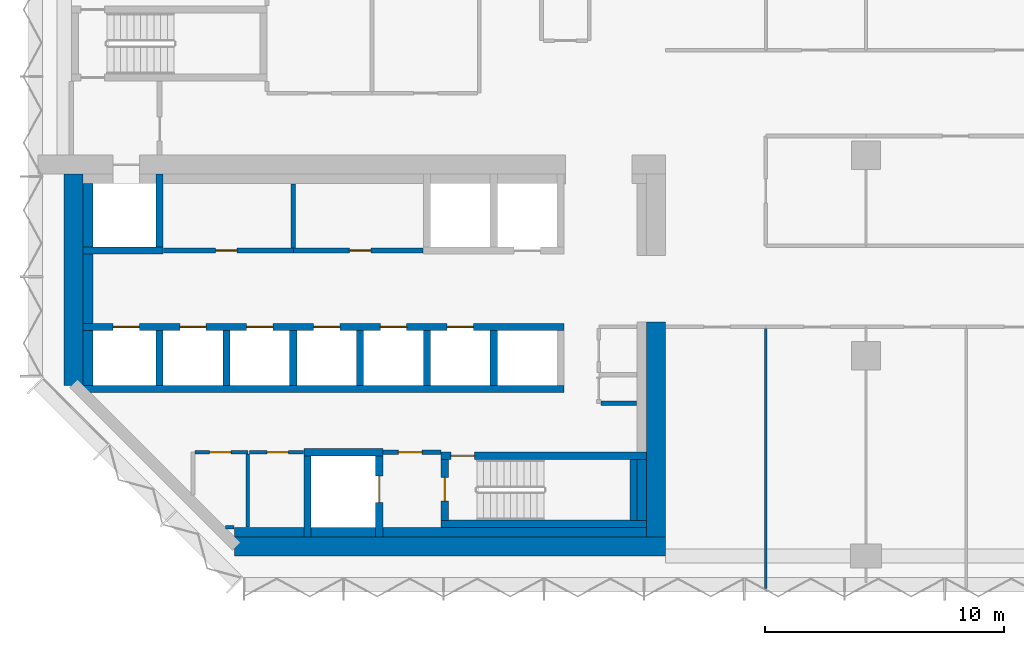
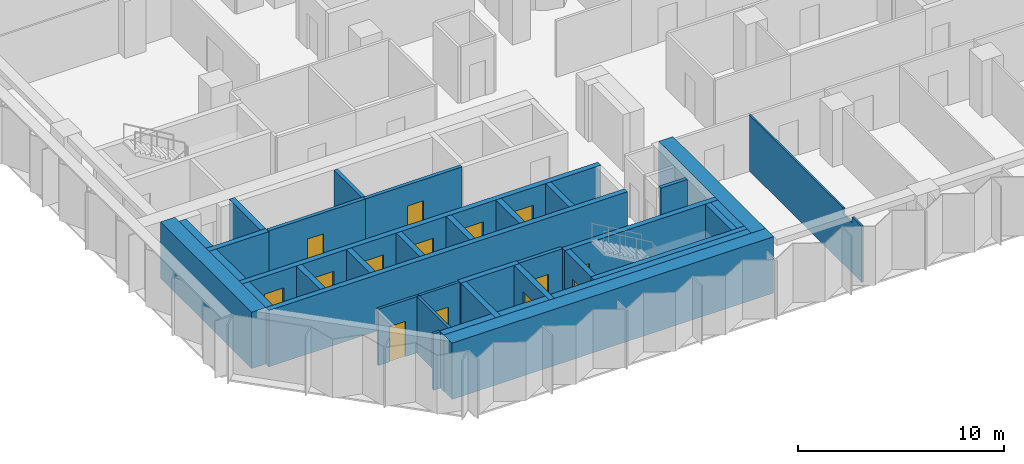
# One storey, part 7 of 13: 37 walls, 14 doors, 14 openings.
"""IFC4 building model written with IfcOpenShell, lengths in metres."""

from ifc_helpers import new_model, si_unit, direction, frame, frame_2d, origin, place, context, subcontext, project, spatial, polyline, rectangle, outline, extrude, material, layer, layer_set, type_object, element, fill, save


model = new_model("IFC4")

# Units and contexts
model_context = context("Model", 3, precision=1e-05, world=origin(), true_north=direction((0.0, 1.0)))
body_context = subcontext(model_context, "Body", "Model", "MODEL_VIEW")
ifc_project = project(units=[si_unit("LENGTHUNIT", "METRE"), si_unit("AREAUNIT", "SQUARE_METRE"), si_unit("VOLUMEUNIT", "CUBIC_METRE"), si_unit("PLANEANGLEUNIT", "RADIAN"), si_unit("MASSUNIT", "GRAM", prefix="KILO")], contexts=[model_context])

# Site, building, storey
site_placement = place(None, origin())
site = spatial("IfcSite", under=ifc_project, at=site_placement, CompositionType="ELEMENT")
building_placement = place(site_placement, origin())
building = spatial("IfcBuilding", under=site, at=building_placement, Name="Brevane Broadcast Tower", CompositionType="ELEMENT")
storey_placement = place(building_placement, frame((0.0, 0.0, 131.300048828125)))
storey = spatial("IfcBuildingStorey", under=building, at=storey_placement, Name="L32", CompositionType="ELEMENT", Elevation=131.300048828125)

# Walls
ifc_material_1 = material(Name="Concrete C32/40", Category="concrete")
ifc_layer_1 = layer(ifc_material_1, 0.39990234375)
ifc_layer_set_1 = layer_set([ifc_layer_1], Name="Core chase wall 400 mm")
wall_type_1 = type_object("IfcWallType", Name="Core chase wall 400 mm", PredefinedType="PARTITIONING", material=ifc_layer_set_1)
wall_1_placement = place(storey_placement, frame((1.0, 7.14990234375, 0.0), z_axis=(0.0, 0.0, 1.0), x_axis=(0.0, 1.0, 0.0)))
element("IfcWall", 1, at=wall_1_placement, inside=storey, type_object=wall_type_1, Name="L32 chase wall LW-2-1", PredefinedType="PARTITIONING", context=body_context, shape_type="SweptSolid", body=[
    extrude(rectangle(XDim=2.300048828125, YDim=0.39990234375, at=frame_2d((1.14990234375, 0.0))), origin(), (0.0, 0.0, 1.0), 3.349853515625),
])
wall_2_placement = place(storey_placement, frame((1.0, 9.75, 0.0), z_axis=(0.0, 0.0, 1.0), x_axis=(0.0, 1.0, 0.0)))
element("IfcWall", 2, at=wall_2_placement, inside=storey, type_object=wall_type_1, Name="L32 chase wall LW-2-2-1", PredefinedType="PARTITIONING", context=body_context, shape_type="SweptSolid", body=[
    extrude(rectangle(XDim=2.89990234375, YDim=0.39990234375, at=frame_2d((1.449951171875, 0.0))), origin(), (0.0, 0.0, 1.0), 3.349853515625),
])
wall_3_placement = place(storey_placement, frame((1.0, 12.949951171875, 0.0), z_axis=(0.0, 0.0, 1.0), x_axis=(0.0, 1.0, 0.0)))
element("IfcWall", 3, at=wall_3_placement, inside=storey, type_object=wall_type_1, Name="L32 chase wall LW-2-2-2", PredefinedType="PARTITIONING", context=body_context, shape_type="SweptSolid", body=[
    extrude(rectangle(XDim=2.650146484375, YDim=0.39990234375, at=frame_2d((1.3251953125, 0.0))), origin(), (0.0, 0.0, 1.0), 3.349853515625),
])
wall_4_placement = place(storey_placement, frame((7.136474609375, 1.0, 0.0), z_axis=(0.0, 0.0, 1.0), x_axis=(1.0, 0.0, 0.0)))
element("IfcWall", 4, at=wall_4_placement, inside=storey, type_object=wall_type_1, Name="L32 chase wall LS-1", PredefinedType="PARTITIONING", context=body_context, shape_type="SweptSolid", body=[
    extrude(rectangle(XDim=2.91357421875, YDim=0.39990234375, at=frame_2d((1.456787109375, 0.0))), origin(), (0.0, 0.0, 1.0), 3.349853515625),
])
wall_5_placement = place(storey_placement, frame((10.35009765625, 1.0, 0.0), z_axis=(0.0, 0.0, 1.0), x_axis=(1.0, 0.0, 0.0)))
element("IfcWall", 5, at=wall_5_placement, inside=storey, type_object=wall_type_1, Name="L32 chase wall LS-2-1", PredefinedType="PARTITIONING", context=body_context, shape_type="SweptSolid", body=[
    extrude(rectangle(XDim=2.699951171875, YDim=0.39990234375, at=frame_2d((1.35009765625, 0.0))), origin(), (0.0, 0.0, 1.0), 3.349853515625),
])
wall_6_placement = place(storey_placement, frame((13.35009765625, 1.0, 0.0), z_axis=(0.0, 0.0, 1.0), x_axis=(1.0, 0.0, 0.0)))
element("IfcWall", 6, at=wall_6_placement, inside=storey, type_object=wall_type_1, Name="L32 chase wall LS-2-2", PredefinedType="PARTITIONING", context=body_context, shape_type="SweptSolid", body=[
    extrude(rectangle(XDim=11.0498046875, YDim=0.39990234375, at=frame_2d((5.52490234375, 0.0))), origin(), (0.0, 0.0, 1.0), 3.349853515625),
])
wall_7_placement = place(storey_placement, frame((24.199951171875, 1.5, 0.0), z_axis=(0.0, 0.0, 1.0), x_axis=(0.0, 1.0, 0.0)))
element("IfcWall", 7, at=wall_7_placement, inside=storey, type_object=wall_type_1, Name="L32 chase wall LE1-2-1", PredefinedType="PARTITIONING", context=body_context, shape_type="SweptSolid", body=[
    extrude(rectangle(XDim=2.550048828125, YDim=0.39990234375, at=frame_2d((1.27490234375, 0.0))), origin(), (0.0, 0.0, 1.0), 3.349853515625),
])

# Wall, opening, door
ifc_material_2 = material(Name="Gypsum board on steel studs", Category="steel")
ifc_layer_2 = layer(ifc_material_2, 0.14990234375)
ifc_layer_set_2 = layer_set([ifc_layer_2], Name="Core fire partition 150 mm")
wall_type_2 = type_object("IfcWallType", Name="Core fire partition 150 mm", PredefinedType="PARTITIONING", material=ifc_layer_set_2)
wall_8_placement = place(storey_placement, frame((5.47509765625, 4.35009765625, 0.0), z_axis=(0.0, 0.0, 1.0), x_axis=(1.0, 0.0, 0.0)))
wall_8 = element("IfcWall", 8, at=wall_8_placement, inside=storey, type_object=wall_type_2, Name="L32 partition wall P11", PredefinedType="PARTITIONING", context=body_context, shape_type="SweptSolid", body=[
    extrude(rectangle(XDim=2.224853515625, YDim=0.14990234375, at=frame_2d((1.1123046875, 0.0))), origin(), (0.0, 0.0, 1.0), 3.349853515625),
])
opening_1_placement = place(wall_8_placement, frame((0.625, 0.0, 0.0)))
opening_1 = element("IfcOpeningElement", 9, at=opening_1_placement, cuts=wall_8, Name="Opening L32-K16", PredefinedType="OPENING", context=body_context, shape_type="SweptSolid", body=[
    extrude(rectangle(XDim=0.89990234375, YDim=2.10009765625, at=frame_2d((0.449951171875, 1.050048828125))), frame((0.0, 0.0849609375, 0.0), z_axis=(0.0, -1.0, 0.0), x_axis=(1.0, 0.0, 0.0)), (0.0, 0.0, 1.0), 0.169921875),
])
ifc_material_3 = material(Name="Timber", Category="wood")
door_type_1 = type_object("IfcDoorType", Name="Toilet door 900 x 2100", OperationType="SINGLE_SWING_LEFT", PredefinedType="DOOR", material=ifc_material_3)
door_1_placement = place(opening_1_placement, origin())
door_1 = element("IfcDoor", 10, at=door_1_placement, inside=storey, type_object=door_type_1, Name="Door L32-K16", OperationType="SINGLE_SWING_LEFT", OverallHeight=2.10009765625, OverallWidth=0.89990234375, PredefinedType="DOOR", context=body_context, shape_type="SweptSolid", body=[
    extrude(rectangle(XDim=0.89990234375, YDim=2.10009765625, at=frame_2d((0.449951171875, 1.050048828125))), frame((0.0, 0.02490234375, 0.0), z_axis=(0.0, -1.0, 0.0), x_axis=(1.0, 0.0, 0.0)), (0.0, 0.0, 1.0), 0.050048828125),
])
fill(opening_1, door_1)

# Walls
wall_9_placement = place(storey_placement, frame((7.699951171875, 4.27490234375, 0.0), z_axis=(0.0, 0.0, 1.0), x_axis=(0.0, -1.0, 0.0)))
element("IfcWall", 11, at=wall_9_placement, inside=storey, type_object=wall_type_2, Name="L32 partition wall P12", PredefinedType="PARTITIONING", context=body_context, shape_type="SweptSolid", body=[
    extrude(rectangle(XDim=3.06298828125, YDim=0.14990234375, at=frame_2d((1.531494140625, 0.0))), origin(), (0.0, 0.0, 1.0), 3.349853515625),
])
wall_10_placement = place(storey_placement, frame((7.12451171875, 1.199951171875, 0.0), z_axis=(0.0, 0.0, 1.0), x_axis=(-1.0, 0.0, 0.0)))
element("IfcWall", 12, at=wall_10_placement, inside=storey, type_object=wall_type_2, Name="L32 partition wall P13", PredefinedType="PARTITIONING", context=body_context, shape_type="SweptSolid", body=[
    extrude(rectangle(XDim=0.37109375, YDim=0.14990234375, at=frame_2d((0.185546875, 0.0))), origin(), (0.0, 0.0, 1.0), 3.349853515625),
])

# Wall, opening, door
wall_11_placement = place(storey_placement, frame((10.0380859375, 4.35009765625, 0.0), z_axis=(0.0, 0.0, 1.0), x_axis=(-1.0, 0.0, 0.0)))
wall_11 = element("IfcWall", 13, at=wall_11_placement, inside=storey, type_object=wall_type_2, Name="L32 partition wall P14", PredefinedType="PARTITIONING", context=body_context, shape_type="SweptSolid", body=[
    extrude(rectangle(XDim=2.26318359375, YDim=0.14990234375, at=frame_2d((1.131591796875, 0.0))), origin(), (0.0, 0.0, 1.0), 3.349853515625),
])
opening_2_placement = place(wall_11_placement, frame((0.637939453125, 0.0, 0.0)))
opening_2 = element("IfcOpeningElement", 14, at=opening_2_placement, cuts=wall_11, Name="Opening L32-K17", PredefinedType="OPENING", context=body_context, shape_type="SweptSolid", body=[
    extrude(rectangle(XDim=0.89990234375, YDim=2.10009765625, at=frame_2d((0.449951171875, 1.050048828125))), frame((0.0, 0.0849609375, 0.0), z_axis=(0.0, -1.0, 0.0), x_axis=(1.0, 0.0, 0.0)), (0.0, 0.0, 1.0), 0.169921875),
])
door_2_placement = place(opening_2_placement, origin())
door_2 = element("IfcDoor", 15, at=door_2_placement, inside=storey, type_object=door_type_1, Name="Door L32-K17", OperationType="SINGLE_SWING_RIGHT", OverallHeight=2.10009765625, OverallWidth=0.89990234375, PredefinedType="DOOR", context=body_context, shape_type="SweptSolid", body=[
    extrude(rectangle(XDim=0.89990234375, YDim=2.10009765625, at=frame_2d((0.449951171875, 1.050048828125))), frame((0.0, 0.02490234375, 0.0), z_axis=(0.0, -1.0, 0.0), x_axis=(1.0, 0.0, 0.0)), (0.0, 0.0, 1.0), 0.050048828125),
])
fill(opening_2, door_2)

ifc_layer_3 = layer(ifc_material_2, 0.199951171875)
ifc_layer_set_3 = layer_set([ifc_layer_3], Name="Core fire partition 200 mm")
wall_type_3 = type_object("IfcWallType", Name="Core fire partition 200 mm", PredefinedType="PARTITIONING", material=ifc_layer_set_3)
wall_12_placement = place(storey_placement, frame((13.362060546875, 4.35009765625, 0.0), z_axis=(0.0, 0.0, 1.0), x_axis=(1.0, 0.0, 0.0)))
wall_12 = element("IfcWall", 16, at=wall_12_placement, inside=storey, type_object=wall_type_3, Name="L32 partition wall P03", PredefinedType="PARTITIONING", context=body_context, shape_type="SweptSolid", body=[
    extrude(rectangle(XDim=2.426025390625, YDim=0.199951171875, at=frame_2d((1.212890625, 0.0))), origin(), (0.0, 0.0, 1.0), 3.349853515625),
])
opening_3_placement = place(wall_12_placement, frame((0.637939453125, 0.0, 0.0)))
opening_3 = element("IfcOpeningElement", 17, at=opening_3_placement, cuts=wall_12, Name="Opening L32-K18", PredefinedType="OPENING", context=body_context, shape_type="SweptSolid", body=[
    extrude(rectangle(XDim=1.0, YDim=2.10009765625, at=frame_2d((0.5, 1.050048828125))), frame((0.0, 0.10986328125, 0.0), z_axis=(0.0, -1.0, 0.0), x_axis=(1.0, 0.0, 0.0)), (0.0, 0.0, 1.0), 0.219970703125),
])
ifc_material_4 = material(Name="Steel", Category="steel")
door_type_2 = type_object("IfcDoorType", Name="Stair door 1000 x 2100", OperationType="SINGLE_SWING_LEFT", PredefinedType="DOOR", material=ifc_material_4)
door_3_placement = place(opening_3_placement, origin())
door_3 = element("IfcDoor", 18, at=door_3_placement, inside=storey, type_object=door_type_2, Name="Door L32-K18", OperationType="SINGLE_SWING_LEFT", OverallHeight=2.10009765625, OverallWidth=1.0, PredefinedType="DOOR", context=body_context, shape_type="SweptSolid", body=[
    extrude(rectangle(XDim=1.0, YDim=2.10009765625, at=frame_2d((0.5, 1.050048828125))), frame((0.0, 0.02490234375, 0.0), z_axis=(0.0, -1.0, 0.0), x_axis=(1.0, 0.0, 0.0)), (0.0, 0.0, 1.0), 0.050048828125),
])
fill(opening_3, door_3)

wall_13_placement = place(storey_placement, frame((4.162109375, 12.800048828125, 0.0), z_axis=(0.0, 0.0, 1.0), x_axis=(1.0, 0.0, 0.0)))
wall_13 = element("IfcWall", 19, at=wall_13_placement, inside=storey, type_object=wall_type_3, Name="L32 partition wall P04", PredefinedType="PARTITIONING", context=body_context, shape_type="SweptSolid", body=[
    extrude(rectangle(XDim=5.43798828125, YDim=0.199951171875, at=frame_2d((2.718994140625, 0.0))), origin(), (0.0, 0.0, 1.0), 3.349853515625),
])
opening_4_placement = place(wall_13_placement, frame((2.18798828125, 0.0, 0.0)))
opening_4 = element("IfcOpeningElement", 20, at=opening_4_placement, cuts=wall_13, Name="Opening L32-K21", PredefinedType="OPENING", context=body_context, shape_type="SweptSolid", body=[
    extrude(rectangle(XDim=0.89990234375, YDim=2.10009765625, at=frame_2d((0.449951171875, 1.050048828125))), frame((0.0, 0.10986328125, 0.0), z_axis=(0.0, -1.0, 0.0), x_axis=(1.0, 0.0, 0.0)), (0.0, 0.0, 1.0), 0.219970703125),
])
door_type_3 = type_object("IfcDoorType", Name="Service room door 900 x 2100", OperationType="SINGLE_SWING_LEFT", PredefinedType="DOOR", material=ifc_material_4)
door_4_placement = place(opening_4_placement, origin())
door_4 = element("IfcDoor", 21, at=door_4_placement, inside=storey, type_object=door_type_3, Name="Door L32-K21", OperationType="SINGLE_SWING_RIGHT", OverallHeight=2.10009765625, OverallWidth=0.89990234375, PredefinedType="DOOR", context=body_context, shape_type="SweptSolid", body=[
    extrude(rectangle(XDim=0.89990234375, YDim=2.10009765625, at=frame_2d((0.449951171875, 1.050048828125))), frame((0.0, 0.02490234375, 0.0), z_axis=(0.0, -1.0, 0.0), x_axis=(1.0, 0.0, 0.0)), (0.0, 0.0, 1.0), 0.050048828125),
])
fill(opening_4, door_4)

wall_14_placement = place(storey_placement, frame((9.60009765625, 12.800048828125, 0.0), z_axis=(0.0, 0.0, 1.0), x_axis=(1.0, 0.0, 0.0)))
wall_14 = element("IfcWall", 22, at=wall_14_placement, inside=storey, type_object=wall_type_3, Name="L32 partition wall P05", PredefinedType="PARTITIONING", context=body_context, shape_type="SweptSolid", body=[
    extrude(rectangle(XDim=5.43798828125, YDim=0.199951171875, at=frame_2d((2.718994140625, 0.0))), origin(), (0.0, 0.0, 1.0), 3.349853515625),
])
opening_5_placement = place(wall_14_placement, frame((2.35009765625, 0.0, 0.0)))
opening_5 = element("IfcOpeningElement", 23, at=opening_5_placement, cuts=wall_14, Name="Opening L32-K22", PredefinedType="OPENING", context=body_context, shape_type="SweptSolid", body=[
    extrude(rectangle(XDim=0.89990234375, YDim=2.10009765625, at=frame_2d((0.449951171875, 1.050048828125))), frame((0.0, 0.10986328125, 0.0), z_axis=(0.0, -1.0, 0.0), x_axis=(1.0, 0.0, 0.0)), (0.0, 0.0, 1.0), 0.219970703125),
])
door_5_placement = place(opening_5_placement, origin())
door_5 = element("IfcDoor", 24, at=door_5_placement, inside=storey, type_object=door_type_3, Name="Door L32-K22", OperationType="SINGLE_SWING_LEFT", OverallHeight=2.10009765625, OverallWidth=0.89990234375, PredefinedType="DOOR", context=body_context, shape_type="SweptSolid", body=[
    extrude(rectangle(XDim=0.89990234375, YDim=2.10009765625, at=frame_2d((0.449951171875, 1.050048828125))), frame((0.0, 0.02490234375, 0.0), z_axis=(0.0, -1.0, 0.0), x_axis=(1.0, 0.0, 0.0)), (0.0, 0.0, 1.0), 0.050048828125),
])
fill(opening_5, door_5)

# Walls
wall_15_placement = place(storey_placement, frame((9.60009765625, 15.587890625, 0.0), z_axis=(0.0, 0.0, 1.0), x_axis=(0.0, -1.0, 0.0)))
element("IfcWall", 25, at=wall_15_placement, inside=storey, type_object=wall_type_3, Name="L32 partition wall P06", PredefinedType="PARTITIONING", context=body_context, shape_type="SweptSolid", body=[
    extrude(rectangle(XDim=2.68798828125, YDim=0.199951171875, at=frame_2d((1.343994140625, 0.0))), origin(), (0.0, 0.0, 1.0), 3.349853515625),
])
wall_16_placement = place(storey_placement, frame((22.5, 6.39990234375, 0.0), z_axis=(0.0, 0.0, 1.0), x_axis=(1.0, 0.0, 0.0)))
element("IfcWall", 26, at=wall_16_placement, inside=storey, type_object=wall_type_3, Name="L32 partition wall P09", PredefinedType="PARTITIONING", context=body_context, shape_type="SweptSolid", body=[
    extrude(rectangle(XDim=1.488037109375, YDim=0.199951171875, at=frame_2d((0.744140625, 0.0))), origin(), (0.0, 0.0, 1.0), 3.349853515625),
])
ifc_material_5 = material(Name="Concrete C60/75", Category="concrete")
ifc_layer_4 = layer(ifc_material_5, 0.300048828125)
ifc_layer_set_4 = layer_set([ifc_layer_4], Name="Core wall 300 mm C60/75")
wall_type_4 = type_object("IfcWallType", Name="Core wall 300 mm C60/75", PredefinedType="SHEAR", material=ifc_layer_set_4)
wall_17_placement = place(storey_placement, frame((0.800048828125, 7.0, 0.0), z_axis=(0.0, 0.0, 1.0), x_axis=(1.0, 0.0, 0.0)))
element("IfcWall", 27, at=wall_17_placement, inside=storey, type_object=wall_type_4, Name="L32 shaft wall SH-S012-back", PredefinedType="SHEAR", context=body_context, shape_type="SweptSolid", body=[
    extrude(rectangle(XDim=20.14990234375, YDim=0.300048828125, at=frame_2d((10.074951171875, 0.0))), origin(), (0.0, 0.0, 1.0), 3.349853515625),
])

# Wall, openings, doors
wall_18_placement = place(storey_placement, frame((0.800048828125, 9.60009765625, 0.0), z_axis=(0.0, 0.0, 1.0), x_axis=(1.0, 0.0, 0.0)))
wall_18 = element("IfcWall", 28, at=wall_18_placement, inside=storey, type_object=wall_type_4, Name="L32 shaft wall SH-S012-front", PredefinedType="SHEAR", context=body_context, shape_type="SweptSolid", body=[
    extrude(rectangle(XDim=20.14990234375, YDim=0.300048828125, at=frame_2d((10.074951171875, 0.0))), origin(), (0.0, 0.0, 1.0), 3.349853515625),
])
opening_6_placement = place(wall_18_placement, frame((1.25, 0.0, 0.0)))
opening_6 = element("IfcOpeningElement", 29, at=opening_6_placement, cuts=wall_18, Name="Opening LD", PredefinedType="OPENING", context=body_context, shape_type="SweptSolid", body=[
    extrude(rectangle(XDim=1.10009765625, YDim=2.300048828125, at=frame_2d((0.550048828125, 1.14990234375))), frame((0.0, 0.159912109375, 0.0), z_axis=(0.0, -1.0, 0.0), x_axis=(1.0, 0.0, 0.0)), (0.0, 0.0, 1.0), 0.320068359375),
])
opening_7_placement = place(wall_18_placement, frame((4.050048828125, 0.0, 0.0)))
opening_7 = element("IfcOpeningElement", 30, at=opening_7_placement, cuts=wall_18, Name="Opening LD", PredefinedType="OPENING", context=body_context, shape_type="SweptSolid", body=[
    extrude(rectangle(XDim=1.10009765625, YDim=2.300048828125, at=frame_2d((0.550048828125, 1.14990234375))), frame((0.0, 0.159912109375, 0.0), z_axis=(0.0, -1.0, 0.0), x_axis=(1.0, 0.0, 0.0)), (0.0, 0.0, 1.0), 0.320068359375),
])
opening_8_placement = place(wall_18_placement, frame((6.85009765625, 0.0, 0.0)))
opening_8 = element("IfcOpeningElement", 31, at=opening_8_placement, cuts=wall_18, Name="Opening LD", PredefinedType="OPENING", context=body_context, shape_type="SweptSolid", body=[
    extrude(rectangle(XDim=1.10009765625, YDim=2.300048828125, at=frame_2d((0.550048828125, 1.14990234375))), frame((0.0, 0.159912109375, 0.0), z_axis=(0.0, -1.0, 0.0), x_axis=(1.0, 0.0, 0.0)), (0.0, 0.0, 1.0), 0.320068359375),
])
opening_9_placement = place(wall_18_placement, frame((9.64990234375, 0.0, 0.0)))
opening_9 = element("IfcOpeningElement", 32, at=opening_9_placement, cuts=wall_18, Name="Opening LD", PredefinedType="OPENING", context=body_context, shape_type="SweptSolid", body=[
    extrude(rectangle(XDim=1.10009765625, YDim=2.300048828125, at=frame_2d((0.550048828125, 1.14990234375))), frame((0.0, 0.159912109375, 0.0), z_axis=(0.0, -1.0, 0.0), x_axis=(1.0, 0.0, 0.0)), (0.0, 0.0, 1.0), 0.320068359375),
])
opening_10_placement = place(wall_18_placement, frame((12.449951171875, 0.0, 0.0)))
opening_10 = element("IfcOpeningElement", 33, at=opening_10_placement, cuts=wall_18, Name="Opening LD", PredefinedType="OPENING", context=body_context, shape_type="SweptSolid", body=[
    extrude(rectangle(XDim=1.10009765625, YDim=2.300048828125, at=frame_2d((0.550048828125, 1.14990234375))), frame((0.0, 0.159912109375, 0.0), z_axis=(0.0, -1.0, 0.0), x_axis=(1.0, 0.0, 0.0)), (0.0, 0.0, 1.0), 0.320068359375),
])
opening_11_placement = place(wall_18_placement, frame((15.25, 0.0, 0.0)))
opening_11 = element("IfcOpeningElement", 34, at=opening_11_placement, cuts=wall_18, Name="Opening LD", PredefinedType="OPENING", context=body_context, shape_type="SweptSolid", body=[
    extrude(rectangle(XDim=1.10009765625, YDim=2.300048828125, at=frame_2d((0.550048828125, 1.14990234375))), frame((0.0, 0.159912109375, 0.0), z_axis=(0.0, -1.0, 0.0), x_axis=(1.0, 0.0, 0.0)), (0.0, 0.0, 1.0), 0.320068359375),
])
ifc_material_6 = material(Name="Stainless steel", Category="steel")
door_type_4 = type_object("IfcDoorType", Name="Lift landing door", OperationType="SLIDING_TO_LEFT", PredefinedType="DOOR", material=ifc_material_6)
door_6_placement = place(opening_6_placement, origin())
door_6 = element("IfcDoor", 35, at=door_6_placement, inside=storey, type_object=door_type_4, Name="Landing door LR1 L32", OperationType="SLIDING_TO_LEFT", OverallHeight=2.300048828125, OverallWidth=1.10009765625, PredefinedType="DOOR", context=body_context, shape_type="SweptSolid", body=[
    extrude(rectangle(XDim=1.10009765625, YDim=2.300048828125, at=frame_2d((0.550048828125, 1.14990234375))), frame((0.0, 0.02490234375, 0.0), z_axis=(0.0, -1.0, 0.0), x_axis=(1.0, 0.0, 0.0)), (0.0, 0.0, 1.0), 0.050048828125),
])
fill(opening_6, door_6)
door_7_placement = place(opening_7_placement, origin())
door_7 = element("IfcDoor", 36, at=door_7_placement, inside=storey, type_object=door_type_4, Name="Landing door LR2 L32", OperationType="SLIDING_TO_LEFT", OverallHeight=2.300048828125, OverallWidth=1.10009765625, PredefinedType="DOOR", context=body_context, shape_type="SweptSolid", body=[
    extrude(rectangle(XDim=1.10009765625, YDim=2.300048828125, at=frame_2d((0.550048828125, 1.14990234375))), frame((0.0, 0.02490234375, 0.0), z_axis=(0.0, -1.0, 0.0), x_axis=(1.0, 0.0, 0.0)), (0.0, 0.0, 1.0), 0.050048828125),
])
fill(opening_7, door_7)
door_8_placement = place(opening_8_placement, origin())
door_8 = element("IfcDoor", 37, at=door_8_placement, inside=storey, type_object=door_type_4, Name="Landing door LR3 L32", OperationType="SLIDING_TO_LEFT", OverallHeight=2.300048828125, OverallWidth=1.10009765625, PredefinedType="DOOR", context=body_context, shape_type="SweptSolid", body=[
    extrude(rectangle(XDim=1.10009765625, YDim=2.300048828125, at=frame_2d((0.550048828125, 1.14990234375))), frame((0.0, 0.02490234375, 0.0), z_axis=(0.0, -1.0, 0.0), x_axis=(1.0, 0.0, 0.0)), (0.0, 0.0, 1.0), 0.050048828125),
])
fill(opening_8, door_8)
door_9_placement = place(opening_9_placement, origin())
door_9 = element("IfcDoor", 38, at=door_9_placement, inside=storey, type_object=door_type_4, Name="Landing door LR4 L32", OperationType="SLIDING_TO_LEFT", OverallHeight=2.300048828125, OverallWidth=1.10009765625, PredefinedType="DOOR", context=body_context, shape_type="SweptSolid", body=[
    extrude(rectangle(XDim=1.10009765625, YDim=2.300048828125, at=frame_2d((0.550048828125, 1.14990234375))), frame((0.0, 0.02490234375, 0.0), z_axis=(0.0, -1.0, 0.0), x_axis=(1.0, 0.0, 0.0)), (0.0, 0.0, 1.0), 0.050048828125),
])
fill(opening_9, door_9)
door_10_placement = place(opening_10_placement, origin())
door_10 = element("IfcDoor", 39, at=door_10_placement, inside=storey, type_object=door_type_4, Name="Landing door LR5 L32", OperationType="SLIDING_TO_LEFT", OverallHeight=2.300048828125, OverallWidth=1.10009765625, PredefinedType="DOOR", context=body_context, shape_type="SweptSolid", body=[
    extrude(rectangle(XDim=1.10009765625, YDim=2.300048828125, at=frame_2d((0.550048828125, 1.14990234375))), frame((0.0, 0.02490234375, 0.0), z_axis=(0.0, -1.0, 0.0), x_axis=(1.0, 0.0, 0.0)), (0.0, 0.0, 1.0), 0.050048828125),
])
fill(opening_10, door_10)
door_11_placement = place(opening_11_placement, origin())
door_11 = element("IfcDoor", 40, at=door_11_placement, inside=storey, type_object=door_type_4, Name="Landing door LR6 L32", OperationType="SLIDING_TO_LEFT", OverallHeight=2.300048828125, OverallWidth=1.10009765625, PredefinedType="DOOR", context=body_context, shape_type="SweptSolid", body=[
    extrude(rectangle(XDim=1.10009765625, YDim=2.300048828125, at=frame_2d((0.550048828125, 1.14990234375))), frame((0.0, 0.02490234375, 0.0), z_axis=(0.0, -1.0, 0.0), x_axis=(1.0, 0.0, 0.0)), (0.0, 0.0, 1.0), 0.050048828125),
])
fill(opening_11, door_11)

# Walls
for number, where, z_axis, x_axis, name in (
    (41, (4.0, 7.14990234375, 0.0), (0.0, 0.0, 1.0), (0.0, 1.0, 0.0), "L32 shaft wall SH-S-P040"),
    (42, (6.800048828125, 7.14990234375, 0.0), (0.0, 0.0, 1.0), (0.0, 1.0, 0.0), "L32 shaft wall SH-S-P068"),
    (43, (9.60009765625, 7.14990234375, 0.0), (0.0, 0.0, 1.0), (0.0, 1.0, 0.0), "L32 shaft wall SH-S-P096"),
    (44, (12.39990234375, 7.14990234375, 0.0), (0.0, 0.0, 1.0), (0.0, 1.0, 0.0), "L32 shaft wall SH-S-P124"),
    (45, (15.199951171875, 7.14990234375, 0.0), (0.0, 0.0, 1.0), (0.0, 1.0, 0.0), "L32 shaft wall SH-S-P152"),
    (46, (18.0, 7.14990234375, 0.0), (0.0, 0.0, 1.0), (0.0, 1.0, 0.0), "L32 shaft wall SH-S-P180"),
):
    element("IfcWall", number, at=place(storey_placement, frame(where, z_axis=z_axis, x_axis=x_axis)), inside=storey, type_object=wall_type_4, Name=name, PredefinedType="SHEAR", context=body_context, shape_type="SweptSolid", body=[
        extrude(rectangle(XDim=2.300048828125, YDim=0.300048828125, at=frame_2d((1.14990234375, 0.0))), origin(), (0.0, 0.0, 1.0), 3.349853515625),
    ])
wall_19_placement = place(storey_placement, frame((0.800048828125, 12.800048828125, 0.0), z_axis=(0.0, 0.0, 1.0), x_axis=(1.0, 0.0, 0.0)))
element("IfcWall", 47, at=wall_19_placement, inside=storey, type_object=wall_type_4, Name="L32 shaft wall SH-N012-front", PredefinedType="SHEAR", context=body_context, shape_type="SweptSolid", body=[
    extrude(rectangle(XDim=3.349853515625, YDim=0.300048828125, at=frame_2d((1.6748046875, 0.0))), origin(), (0.0, 0.0, 1.0), 3.349853515625),
])
wall_20_placement = place(storey_placement, frame((4.0, 12.949951171875, 0.0), z_axis=(0.0, 0.0, 1.0), x_axis=(0.0, 1.0, 0.0)))
element("IfcWall", 48, at=wall_20_placement, inside=storey, type_object=wall_type_4, Name="L32 shaft wall SH-N-P040", PredefinedType="SHEAR", context=body_context, shape_type="SweptSolid", body=[
    extrude(rectangle(XDim=3.050048828125, YDim=0.300048828125, at=frame_2d((1.52490234375, 0.0))), origin(), (0.0, 0.0, 1.0), 3.349853515625),
])
wall_21_placement = place(storey_placement, frame((10.199951171875, 0.800048828125, 0.0), z_axis=(0.0, 0.0, 1.0), x_axis=(0.0, 1.0, 0.0)))
element("IfcWall", 49, at=wall_21_placement, inside=storey, type_object=wall_type_4, Name="L32 shaft wall FF2-W", PredefinedType="SHEAR", context=body_context, shape_type="SweptSolid", body=[
    extrude(rectangle(XDim=3.39990234375, YDim=0.300048828125, at=frame_2d((1.699951171875, 0.0))), origin(), (0.0, 0.0, 1.0), 3.349853515625),
])

# Wall, opening, door
wall_22_placement = place(storey_placement, frame((13.199951171875, 0.800048828125, 0.0), z_axis=(0.0, 0.0, 1.0), x_axis=(0.0, 1.0, 0.0)))
wall_22 = element("IfcWall", 50, at=wall_22_placement, inside=storey, type_object=wall_type_4, Name="L32 shaft wall FF2-E", PredefinedType="SHEAR", context=body_context, shape_type="SweptSolid", body=[
    extrude(rectangle(XDim=3.39990234375, YDim=0.300048828125, at=frame_2d((1.699951171875, 0.0))), origin(), (0.0, 0.0, 1.0), 3.349853515625),
])
opening_12_placement = place(wall_22_placement, frame((1.449951171875, 0.0, 0.0)))
opening_12 = element("IfcOpeningElement", 51, at=opening_12_placement, cuts=wall_22, Name="Opening LD", PredefinedType="OPENING", context=body_context, shape_type="SweptSolid", body=[
    extrude(rectangle(XDim=1.10009765625, YDim=2.300048828125, at=frame_2d((0.550048828125, 1.14990234375))), frame((0.0, 0.159912109375, 0.0), z_axis=(0.0, -1.0, 0.0), x_axis=(1.0, 0.0, 0.0)), (0.0, 0.0, 1.0), 0.320068359375),
])
door_12_placement = place(opening_12_placement, origin())
door_12 = element("IfcDoor", 52, at=door_12_placement, inside=storey, type_object=door_type_4, Name="Landing door FF2 L32", OperationType="SLIDING_TO_LEFT", OverallHeight=2.300048828125, OverallWidth=1.10009765625, PredefinedType="DOOR", context=body_context, shape_type="SweptSolid", body=[
    extrude(rectangle(XDim=1.10009765625, YDim=2.300048828125, at=frame_2d((0.550048828125, 1.14990234375))), frame((0.0, 0.02490234375, 0.0), z_axis=(0.0, -1.0, 0.0), x_axis=(1.0, 0.0, 0.0)), (0.0, 0.0, 1.0), 0.050048828125),
])
fill(opening_12, door_12)

# Walls
wall_23_placement = place(storey_placement, frame((10.050048828125, 4.35009765625, 0.0), z_axis=(0.0, 0.0, 1.0), x_axis=(1.0, 0.0, 0.0)))
element("IfcWall", 53, at=wall_23_placement, inside=storey, type_object=wall_type_4, Name="L32 shaft wall FF2-N", PredefinedType="SHEAR", context=body_context, shape_type="SweptSolid", body=[
    extrude(rectangle(XDim=3.300048828125, YDim=0.300048828125, at=frame_2d((1.64990234375, 0.0))), origin(), (0.0, 0.0, 1.0), 3.349853515625),
])
wall_24_placement = place(storey_placement, frame((15.800048828125, 1.35009765625, 0.0), z_axis=(0.0, 0.0, 1.0), x_axis=(1.0, 0.0, 0.0)))
element("IfcWall", 54, at=wall_24_placement, inside=storey, type_object=wall_type_4, Name="L32 stair wall ST-2-S", PredefinedType="SHEAR", context=body_context, shape_type="SweptSolid", body=[
    extrude(rectangle(XDim=8.599853515625, YDim=0.300048828125, at=frame_2d((4.2998046875, 0.0))), origin(), (0.0, 0.0, 1.0), 3.349853515625),
])

# Wall, opening, door
wall_25_placement = place(storey_placement, frame((15.800048828125, 4.199951171875, 0.0), z_axis=(0.0, 0.0, 1.0), x_axis=(1.0, 0.0, 0.0)))
wall_25 = element("IfcWall", 55, at=wall_25_placement, inside=storey, type_object=wall_type_4, Name="L32 stair wall ST-2-N", PredefinedType="SHEAR", context=body_context, shape_type="SweptSolid", body=[
    extrude(rectangle(XDim=8.599853515625, YDim=0.300048828125, at=frame_2d((4.2998046875, 0.0))), origin(), (0.0, 0.0, 1.0), 3.349853515625),
])
opening_13_placement = place(wall_25_placement, frame((0.39990234375, 0.0, 0.0)))
opening_13 = element("IfcOpeningElement", 56, at=opening_13_placement, cuts=wall_25, Name="Opening L32-K13", PredefinedType="OPENING", context=body_context, shape_type="SweptSolid", body=[
    extrude(rectangle(XDim=1.0, YDim=2.10009765625, at=frame_2d((0.5, 1.050048828125))), frame((0.0, 0.159912109375, 0.0), z_axis=(0.0, -1.0, 0.0), x_axis=(1.0, 0.0, 0.0)), (0.0, 0.0, 1.0), 0.320068359375),
])
door_13_placement = place(opening_13_placement, origin())
door_13 = element("IfcDoor", 57, at=door_13_placement, inside=storey, type_object=door_type_2, Name="Door L32-K13", OperationType="SINGLE_SWING_RIGHT", OverallHeight=2.10009765625, OverallWidth=1.0, PredefinedType="DOOR", context=body_context, shape_type="SweptSolid", body=[
    extrude(rectangle(XDim=1.0, YDim=2.10009765625, at=frame_2d((0.5, 1.050048828125))), frame((0.0, 0.02490234375, 0.0), z_axis=(0.0, -1.0, 0.0), x_axis=(1.0, 0.0, 0.0)), (0.0, 0.0, 1.0), 0.050048828125),
])
fill(opening_13, door_13)

wall_26_placement = place(storey_placement, frame((15.949951171875, 1.5, 0.0), z_axis=(0.0, 0.0, 1.0), x_axis=(0.0, 1.0, 0.0)))
wall_26 = element("IfcWall", 58, at=wall_26_placement, inside=storey, type_object=wall_type_4, Name="L32 stair wall ST-2-W", PredefinedType="SHEAR", context=body_context, shape_type="SweptSolid", body=[
    extrude(rectangle(XDim=2.550048828125, YDim=0.300048828125, at=frame_2d((1.27490234375, 0.0))), origin(), (0.0, 0.0, 1.0), 3.349853515625),
])
opening_14_placement = place(wall_26_placement, frame((0.800048828125, 0.0, 0.0)))
opening_14 = element("IfcOpeningElement", 59, at=opening_14_placement, cuts=wall_26, Name="Opening L32-K12", PredefinedType="OPENING", context=body_context, shape_type="SweptSolid", body=[
    extrude(rectangle(XDim=1.0, YDim=2.10009765625, at=frame_2d((0.5, 1.050048828125))), frame((0.0, 0.159912109375, 0.0), z_axis=(0.0, -1.0, 0.0), x_axis=(1.0, 0.0, 0.0)), (0.0, 0.0, 1.0), 0.320068359375),
])
door_14_placement = place(opening_14_placement, origin())
door_14 = element("IfcDoor", 60, at=door_14_placement, inside=storey, type_object=door_type_2, Name="Door L32-K12", OperationType="SINGLE_SWING_LEFT", OverallHeight=2.10009765625, OverallWidth=1.0, PredefinedType="DOOR", context=body_context, shape_type="SweptSolid", body=[
    extrude(rectangle(XDim=1.0, YDim=2.10009765625, at=frame_2d((0.5, 1.050048828125))), frame((0.0, 0.02490234375, 0.0), z_axis=(0.0, -1.0, 0.0), x_axis=(1.0, 0.0, 0.0)), (0.0, 0.0, 1.0), 0.050048828125),
])
fill(opening_14, door_14)

# Walls
wall_27_placement = place(storey_placement, frame((23.85009765625, 1.5, 0.0), z_axis=(0.0, 0.0, 1.0), x_axis=(0.0, 1.0, 0.0)))
element("IfcWall", 61, at=wall_27_placement, inside=storey, type_object=wall_type_4, Name="L32 stair wall ST-2-E", PredefinedType="SHEAR", context=body_context, shape_type="SweptSolid", body=[
    extrude(rectangle(XDim=2.550048828125, YDim=0.300048828125, at=frame_2d((1.27490234375, 0.0))), origin(), (0.0, 0.0, 1.0), 3.349853515625),
])
ifc_layer_5 = layer(ifc_material_5, 0.800048828125)
ifc_layer_set_5 = layer_set([ifc_layer_5], Name="Core wall 800 mm C60/75")
wall_type_5 = type_object("IfcWallType", Name="Core wall 800 mm C60/75", PredefinedType="SHEAR", material=ifc_layer_set_5)
wall_28_placement = place(storey_placement, frame((7.136474609375, 0.39990234375, 0.0), z_axis=(0.0, 0.0, 1.0), x_axis=(1.0, 0.0, 0.0)))
element("IfcWall", 62, at=wall_28_placement, inside=storey, type_object=wall_type_5, Name="L32 outer wall WS", PredefinedType="SHEAR", context=body_context, shape_type="SweptSolid", body=[
    extrude(rectangle(XDim=18.0634765625, YDim=0.800048828125, at=frame_2d((9.03173828125, 0.0))), origin(), (0.0, 0.0, 1.0), 3.349853515625),
])
wall_29_placement = place(storey_placement, frame((0.39990234375, 7.136474609375, 0.0), z_axis=(0.0, 0.0, 1.0), x_axis=(0.0, 1.0, 0.0)))
element("IfcWall", 63, at=wall_29_placement, inside=storey, type_object=wall_type_5, Name="L32 outer wall WW", PredefinedType="SHEAR", context=body_context, shape_type="SweptSolid", body=[
    extrude(rectangle(XDim=8.863525390625, YDim=0.800048828125, at=frame_2d((4.431640625, 0.0))), origin(), (0.0, 0.0, 1.0), 3.349853515625),
])
wall_30_placement = place(storey_placement, frame((24.800048828125, 0.800048828125, 0.0), z_axis=(0.0, 0.0, 1.0), x_axis=(0.0, 1.0, 0.0)))
element("IfcWall", 64, at=wall_30_placement, inside=storey, type_object=wall_type_5, Name="L32 outer wall WE1", PredefinedType="SHEAR", context=body_context, shape_type="SweptSolid", body=[
    extrude(rectangle(XDim=9.0, YDim=0.800048828125, at=frame_2d((4.5, 0.0))), origin(), (0.0, 0.0, 1.0), 3.349853515625),
])
ifc_material_7 = material(Name="Gypsum board partition")
ifc_layer_6 = layer(ifc_material_7, 0.10009765625)
ifc_layer_set_6 = layer_set([ifc_layer_6], Name="PARTITION 100 STUD")
wall_type_6 = type_object("IfcWallType", Name="PARTITION 100 STUD", PredefinedType="PARTITIONING", material=ifc_layer_set_6)
wall_31_placement = place(storey_placement, frame((29.39990234375, 9.60009765625, 0.0), z_axis=(0.0, 0.0, 1.0), x_axis=(0.0, -1.0, 0.0)))
element("IfcWall", 65, at=wall_31_placement, inside=storey, type_object=wall_type_6, Name="Partition G09-031", PredefinedType="PARTITIONING", context=body_context, shape_type="SweptSolid", body=[
    extrude(outline(polyline([(0.0, 0.0), (10.965087890625, 0.0), (10.965087890625, 3.329833984375), (10.699951171875, 3.329833984375), (10.050048828125, 3.329833984375), (10.048095703125, 2.97998046875), (9.152099609375, 2.97998046875), (9.14990234375, 3.329833984375), (0.0, 3.329833984375), (0.0, 0.0)])), frame((0.0, 0.050048828125, 0.0), z_axis=(0.0, -1.0, 0.0), x_axis=(1.0, 0.0, 0.0)), (0.0, 0.0, 1.0), 0.10009765625),
])

save(model, "model.ifc")
